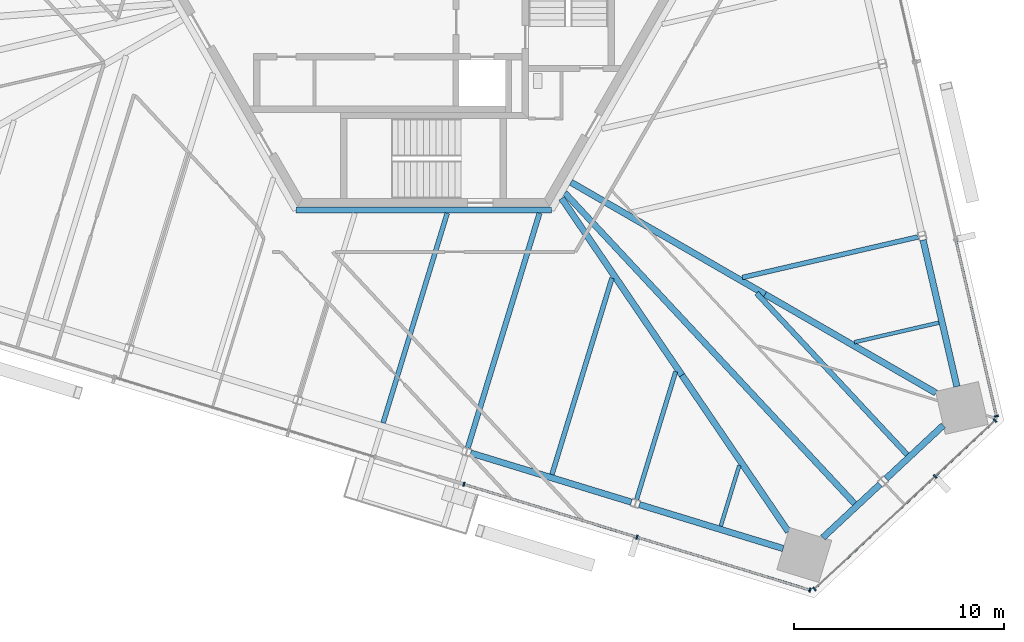
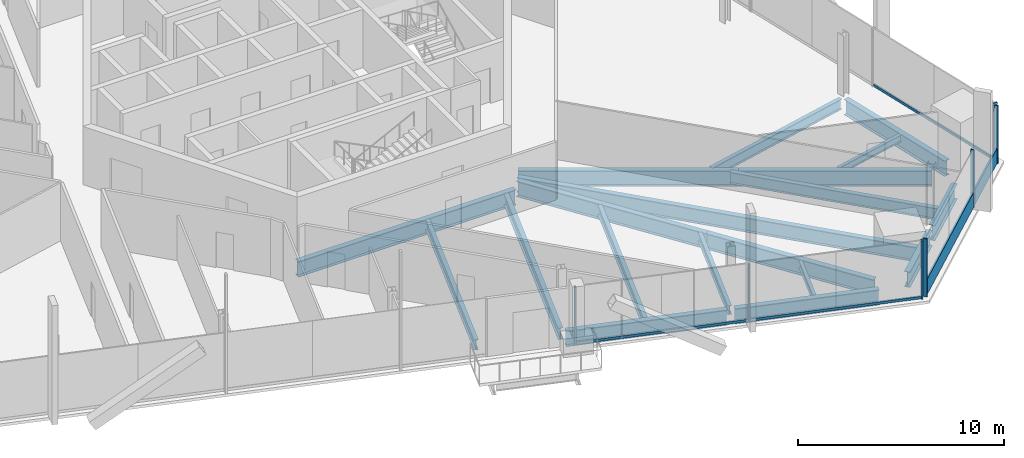
# One storey, part 6 of 23: 19 beams, 12 members, 3 elements without a shape of their own.
"""IFC4 building model written with IfcOpenShell, lengths in metres."""

from ifc_helpers import new_model, si_unit, direction, frame, origin, origin_2d, place, context, subcontext, project, spatial, rectangle, i_section, extrude, source, transform, mapped, material, material_profile, profile_set, type_object, element, aggregate, save


model = new_model("IFC4")

# Units and contexts
model_context = context("Model", 3, precision=1e-05, world=origin(), true_north=direction((0.0, 1.0)))
body_context = subcontext(model_context, "Body", "Model", "MODEL_VIEW")
ifc_project = project(units=[si_unit("LENGTHUNIT", "METRE"), si_unit("AREAUNIT", "SQUARE_METRE"), si_unit("VOLUMEUNIT", "CUBIC_METRE"), si_unit("PLANEANGLEUNIT", "RADIAN"), si_unit("MASSUNIT", "GRAM", prefix="KILO")], contexts=[model_context])

# Site, building, storey
site_placement = place(None, origin())
site = spatial("IfcSite", under=ifc_project, at=site_placement, CompositionType="ELEMENT")
building_placement = place(site_placement, origin())
building = spatial("IfcBuilding", under=site, at=building_placement, Name="Triune Harvest Tower", CompositionType="ELEMENT")
storey_placement = place(building_placement, frame((0.0, 0.0, 105.5)))
storey = spatial("IfcBuildingStorey", under=building, at=storey_placement, Name="L26", CompositionType="ELEMENT", Elevation=105.5)

# Beams
ifc_material_1 = material(Name="Steel ASTM A992 Gr 50", Category="steel")
ifc_material_profile_1 = material_profile(ifc_material_1, i_section(OverallWidth=0.3046875, OverallDepth=0.914306640625, WebThickness=0.0166015625, FlangeThickness=0.02587890625, at=origin_2d()), Name="W36x160")
ifc_profile_set_1 = profile_set([ifc_material_profile_1], Name="Steel ASTM A992 Gr 50")
beam_type_1 = type_object("IfcBeamType", Name="CG-1 Core ring girder W36x160", PredefinedType="BEAM", material=ifc_profile_set_1)
shared_shape_1 = source(origin(), body_context, "Body", "SweptSolid", [
    extrude(i_section(OverallWidth=0.3046875, OverallDepth=0.914306640625, WebThickness=0.0166015625, FlangeThickness=0.02587890625, at=origin_2d()), origin(), (0.0, 0.0, 1.0), 12.17578125),
])
beam_1_placement = place(storey_placement, frame((-6.087890625, -10.544677734375, -0.6171875), z_axis=(1.0, 0.0, 0.0), x_axis=(0.0, 1.0, 0.0)))
element("IfcBeam", 1, at=beam_1_placement, inside=storey, type_object=beam_type_1, Name="beam/L26/CG5", PredefinedType="BEAM", context=body_context, shape_type="MappedRepresentation", body=[
    mapped(shared_shape_1, transform((0.0, 0.0, 0.0), scale=1.0)),
])
ifc_material_2 = material(Name="Steel ASTM A992 Gr 50", Category="steel")
ifc_material_profile_2 = material_profile(ifc_material_2, i_section(OverallWidth=0.307373046875, OverallDepth=0.922119140625, WebThickness=0.018310546875, FlangeThickness=0.030029296875, at=origin_2d()), Name="W36x182")
ifc_profile_set_2 = profile_set([ifc_material_profile_2], Name="Steel ASTM A992 Gr 50")
beam_type_2 = type_object("IfcBeamType", Name="HG-2 Hip girder W36x182", PredefinedType="BEAM", material=ifc_profile_set_2)
shared_shape_2 = source(origin(), body_context, "Body", "SweptSolid", [
    extrude(i_section(OverallWidth=0.307373046875, OverallDepth=0.922119140625, WebThickness=0.018310546875, FlangeThickness=0.030029296875, at=origin_2d()), origin(), (0.0, 0.0, 1.0), 10.681640625),
])
beam_2_placement = place(storey_placement, frame((16.27587890625, -14.56640625, -0.62109375), z_axis=(-0.866023441189, 0.500003399299, 0.0), x_axis=(-0.500003399299, -0.866023441189, 0.0)))
element("IfcBeam", 2, at=beam_2_placement, inside=storey, type_object=beam_type_2, Name="beam/L26/HG2", PredefinedType="BEAM", context=body_context, shape_type="MappedRepresentation", body=[
    mapped(shared_shape_2, transform((0.0, 0.0, 0.0), scale=1.0)),
])
shared_shape_3 = source(origin(), body_context, "Body", "SweptSolid", [
    extrude(i_section(OverallWidth=0.307373046875, OverallDepth=0.922119140625, WebThickness=0.018310546875, FlangeThickness=0.030029296875, at=origin_2d()), origin(), (0.0, 0.0, 1.0), 10.194091796875),
])
beam_3_placement = place(storey_placement, frame((12.31640625, -18.4208984375, -0.62109375), z_axis=(-0.562397141719, 0.826867253545, 0.0), x_axis=(-0.826867253545, -0.562397141719, 0.0)))
element("IfcBeam", 3, at=beam_3_placement, inside=storey, type_object=beam_type_2, Name="beam/L26/HG8", PredefinedType="BEAM", context=body_context, shape_type="MappedRepresentation", body=[
    mapped(shared_shape_3, transform((0.0, 0.0, 0.0), scale=1.0)),
])
ifc_material_3 = material(Name="Steel ASTM A992 Gr 50", Category="steel")
ifc_material_profile_3 = material_profile(ifc_material_3, i_section(OverallWidth=0.3046875, OverallDepth=0.914306640625, WebThickness=0.0166015625, FlangeThickness=0.02587890625, at=origin_2d()), Name="W36x160")
ifc_profile_set_3 = profile_set([ifc_material_profile_3], Name="Steel ASTM A992 Gr 50")
beam_type_3 = type_object("IfcBeamType", Name="SB-1 Spandrel beam W36x160", PredefinedType="SPANDREL", material=ifc_profile_set_3)
shared_shape_4 = source(origin(), body_context, "Body", "SweptSolid", [
    extrude(i_section(OverallWidth=0.3046875, OverallDepth=0.914306640625, WebThickness=0.0166015625, FlangeThickness=0.02587890625, at=origin_2d()), origin(), (0.0, 0.0, 1.0), 7.166259765625),
])
beam_4_placement = place(storey_placement, frame((25.42236328125, -18.96044921875, -0.6171875), z_axis=(-0.224949077026, 0.974370521283, 0.0), x_axis=(-0.974370521283, -0.224949077026, 0.0)))
element("IfcBeam", 4, at=beam_4_placement, inside=storey, type_object=beam_type_3, Name="beam/L26/SB1", PredefinedType="SPANDREL", context=body_context, shape_type="MappedRepresentation", body=[
    mapped(shared_shape_4, transform((0.0, 0.0, 0.0), scale=1.0)),
])
shared_shape_5 = source(origin(), body_context, "Body", "SweptSolid", [
    extrude(i_section(OverallWidth=0.3046875, OverallDepth=0.914306640625, WebThickness=0.0166015625, FlangeThickness=0.02587890625, at=origin_2d()), origin(), (0.0, 0.0, 1.0), 8.01806640625),
])
beam_5_placement = place(storey_placement, frame((2.240966796875, -22.127685546875, -0.6171875), z_axis=(0.956305466934, -0.292369379231, 0.0), x_axis=(0.292369379231, 0.956305466934, 0.0)))
element("IfcBeam", 5, at=beam_5_placement, inside=storey, type_object=beam_type_3, Name="beam/L26/SB21", PredefinedType="SPANDREL", context=body_context, shape_type="MappedRepresentation", body=[
    mapped(shared_shape_5, transform((0.0, 0.0, 0.0), scale=1.0)),
])
shared_shape_6 = source(origin(), body_context, "Body", "SweptSolid", [
    extrude(i_section(OverallWidth=0.3046875, OverallDepth=0.914306640625, WebThickness=0.0166015625, FlangeThickness=0.02587890625, at=origin_2d()), origin(), (0.0, 0.0, 1.0), 7.16650390625),
])
beam_6_placement = place(storey_placement, frame((10.287841796875, -24.587646484375, -0.6171875), z_axis=(0.956296811344, -0.292397689137, 0.0), x_axis=(0.292397689137, 0.956296811344, 0.0)))
element("IfcBeam", 6, at=beam_6_placement, inside=storey, type_object=beam_type_3, Name="beam/L26/SB22", PredefinedType="SPANDREL", context=body_context, shape_type="MappedRepresentation", body=[
    mapped(shared_shape_6, transform((0.0, 0.0, 0.0), scale=1.0)),
])
shared_shape_7 = source(origin(), body_context, "Body", "SweptSolid", [
    extrude(i_section(OverallWidth=0.3046875, OverallDepth=0.914306640625, WebThickness=0.0166015625, FlangeThickness=0.02587890625, at=origin_2d()), origin(), (0.0, 0.0, 1.0), 3.72607421875),
])
beam_7_placement = place(storey_placement, frame((19.03173828125, -26.1630859375, -0.6171875), z_axis=(0.731344988612, 0.682007703499, 0.0), x_axis=(-0.682007703499, 0.731344988612, 0.0)))
element("IfcBeam", 7, at=beam_7_placement, inside=storey, type_object=beam_type_3, Name="beam/L26/SB23", PredefinedType="SPANDREL", context=body_context, shape_type="MappedRepresentation", body=[
    mapped(shared_shape_7, transform((0.0, 0.0, 0.0), scale=1.0)),
])
shared_shape_8 = source(origin(), body_context, "Body", "SweptSolid", [
    extrude(i_section(OverallWidth=0.3046875, OverallDepth=0.914306640625, WebThickness=0.0166015625, FlangeThickness=0.02587890625, at=origin_2d()), origin(), (0.0, 0.0, 1.0), 3.726318359375),
])
beam_8_placement = place(storey_placement, frame((22.046630859375, -23.351806640625, -0.6171875), z_axis=(0.731375462482, 0.681975023647, 0.0), x_axis=(-0.681975023647, 0.731375462482, 0.0)))
element("IfcBeam", 8, at=beam_8_placement, inside=storey, type_object=beam_type_3, Name="beam/L26/SB24", PredefinedType="SPANDREL", context=body_context, shape_type="MappedRepresentation", body=[
    mapped(shared_shape_8, transform((0.0, 0.0, 0.0), scale=1.0)),
])
shared_shape_9 = source(origin(), body_context, "Body", "SweptSolid", [
    extrude(i_section(OverallWidth=0.307373046875, OverallDepth=0.922119140625, WebThickness=0.018310546875, FlangeThickness=0.030029296875, at=origin_2d()), origin(), (0.0, 0.0, 1.0), 9.3984375),
])
beam_9_placement = place(storey_placement, frame((24.415283203125, -19.265625, -0.62109375), z_axis=(-0.866028560268, 0.49999453277, 0.0), x_axis=(-0.49999453277, -0.866028560268, 0.0)))
element("IfcBeam", 9, at=beam_9_placement, inside=storey, type_object=beam_type_2, Name="beam/L26/HG1", PredefinedType="BEAM", context=body_context, shape_type="MappedRepresentation", body=[
    mapped(shared_shape_9, transform((0.0, 0.0, 0.0), scale=1.0)),
])
shared_shape_10 = source(origin(), body_context, "Body", "SweptSolid", [
    extrude(i_section(OverallWidth=0.307373046875, OverallDepth=0.922119140625, WebThickness=0.018310546875, FlangeThickness=0.030029296875, at=origin_2d()), origin(), (0.0, 0.0, 1.0), 9.0166015625),
])
beam_10_placement = place(storey_placement, frame((17.3876953125, -25.876220703125, -0.62109375), z_axis=(-0.562436658991, 0.826840374331, 0.0), x_axis=(-0.826840374331, -0.562436658991, 0.0)))
element("IfcBeam", 10, at=beam_10_placement, inside=storey, type_object=beam_type_2, Name="beam/L26/HG7", PredefinedType="BEAM", context=body_context, shape_type="MappedRepresentation", body=[
    mapped(shared_shape_10, transform((0.0, 0.0, 0.0), scale=1.0)),
])
ifc_material_4 = material(Name="Steel ASTM A992 Gr 50", Category="steel")
ifc_material_profile_4 = material_profile(ifc_material_4, i_section(OverallWidth=0.180908203125, OverallDepth=0.41650390625, WebThickness=0.010986328125, FlangeThickness=0.01806640625, at=origin_2d()), Name="W16x57")
ifc_profile_set_4 = profile_set([ifc_material_profile_4], Name="Steel ASTM A992 Gr 50")
beam_type_4 = type_object("IfcBeamType", Name="JT-1 Floor joist W16x57", PredefinedType="JOIST", material=ifc_profile_set_4)
shared_shape_11 = source(origin(), body_context, "Body", "SweptSolid", [
    extrude(i_section(OverallWidth=0.180908203125, OverallDepth=0.41650390625, WebThickness=0.010986328125, FlangeThickness=0.01806640625, at=origin_2d()), origin(), (0.0, 0.0, 1.0), 4.1337890625),
])
beam_11_placement = place(storey_placement, frame((24.563720703125, -15.91845703125, -0.368408203125), z_axis=(-0.974368296684, -0.224958712697, 0.0), x_axis=(0.224958712697, -0.974368296684, 0.0)))
element("IfcBeam", 11, at=beam_11_placement, inside=storey, type_object=beam_type_4, Name="beam/L26/JT1", PredefinedType="JOIST", context=body_context, shape_type="MappedRepresentation", body=[
    mapped(shared_shape_11, transform((0.0, 0.0, 0.0), scale=1.0)),
])
ifc_material_5 = material(Name="Steel ASTM A992 Gr 50", Category="steel")
ifc_material_profile_5 = material_profile(ifc_material_5, i_section(OverallWidth=0.22900390625, OverallDepth=0.612060546875, WebThickness=0.011962890625, FlangeThickness=0.01953125, at=origin_2d()), Name="W24x84")
ifc_profile_set_5 = profile_set([ifc_material_profile_5], Name="Steel ASTM A992 Gr 50")
beam_type_5 = type_object("IfcBeamType", Name="JT-3 Floor joist W24x84", PredefinedType="JOIST", material=ifc_profile_set_5)
shared_shape_12 = source(origin(), body_context, "Body", "SweptSolid", [
    extrude(i_section(OverallWidth=0.22900390625, OverallDepth=0.612060546875, WebThickness=0.011962890625, FlangeThickness=0.01953125, at=origin_2d()), origin(), (0.0, 0.0, 1.0), 8.607421875),
])
beam_12_placement = place(storey_placement, frame((23.580078125, -11.82763671875, -0.466064453125), z_axis=(-0.97436872252, -0.224956868255, 0.0), x_axis=(0.224956868255, -0.97436872252, 0.0)))
element("IfcBeam", 12, at=beam_12_placement, inside=storey, type_object=beam_type_5, Name="beam/L26/JT2", PredefinedType="JOIST", context=body_context, shape_type="MappedRepresentation", body=[
    mapped(shared_shape_12, transform((0.0, 0.0, 0.0), scale=1.0)),
])
shared_shape_13 = source(origin(), body_context, "Body", "SweptSolid", [
    extrude(i_section(OverallWidth=0.22900390625, OverallDepth=0.612060546875, WebThickness=0.011962890625, FlangeThickness=0.01953125, at=origin_2d()), origin(), (0.0, 0.0, 1.0), 10.45361328125),
])
beam_13_placement = place(storey_placement, frame((-1.92724609375, -20.69384765625, -0.466064453125), z_axis=(0.29235559587, 0.956309680785, 0.0), x_axis=(-0.956309680785, 0.29235559587, 0.0)))
element("IfcBeam", 13, at=beam_13_placement, inside=storey, type_object=beam_type_5, Name="beam/L26/JT33", PredefinedType="JOIST", context=body_context, shape_type="MappedRepresentation", body=[
    mapped(shared_shape_13, transform((0.0, 0.0, 0.0), scale=1.0)),
])
shared_shape_14 = source(origin(), body_context, "Body", "SweptSolid", [
    extrude(i_section(OverallWidth=0.22900390625, OverallDepth=0.612060546875, WebThickness=0.011962890625, FlangeThickness=0.01953125, at=origin_2d()), origin(), (0.0, 0.0, 1.0), 9.790283203125),
])
beam_14_placement = place(storey_placement, frame((6.119384765625, -23.154052734375, -0.466064453125), z_axis=(0.292383884863, 0.956301032036, 0.0), x_axis=(-0.956301032036, 0.292383884863, 0.0)))
element("IfcBeam", 14, at=beam_14_placement, inside=storey, type_object=beam_type_5, Name="beam/L26/JT35", PredefinedType="JOIST", context=body_context, shape_type="MappedRepresentation", body=[
    mapped(shared_shape_14, transform((0.0, 0.0, 0.0), scale=1.0)),
])
ifc_material_6 = material(Name="Steel ASTM A992 Gr 50", Category="steel")
ifc_material_profile_6 = material_profile(ifc_material_6, i_section(OverallWidth=0.253662109375, OverallDepth=0.683349609375, WebThickness=0.012451171875, FlangeThickness=0.01904296875, at=origin_2d()), Name="W27x94")
ifc_profile_set_6 = profile_set([ifc_material_profile_6], Name="Steel ASTM A992 Gr 50")
beam_type_6 = type_object("IfcBeamType", Name="JT-4 Floor joist W27x94", PredefinedType="JOIST", material=ifc_profile_set_6)
shared_shape_15 = source(origin(), body_context, "Body", "SweptSolid", [
    extrude(i_section(OverallWidth=0.253662109375, OverallDepth=0.683349609375, WebThickness=0.012451171875, FlangeThickness=0.01904296875, at=origin_2d()), origin(), (0.0, 0.0, 1.0), 11.70166015625),
])
beam_15_placement = place(storey_placement, frame((2.107177734375, -21.887451171875, -0.501708984375), z_axis=(0.292381788251, 0.956301673061, 0.0), x_axis=(-0.956301673061, 0.292381788251, 0.0)))
element("IfcBeam", 15, at=beam_15_placement, inside=storey, type_object=beam_type_6, Name="beam/L26/JT34", PredefinedType="JOIST", context=body_context, shape_type="MappedRepresentation", body=[
    mapped(shared_shape_15, transform((0.0, 0.0, 0.0), scale=1.0)),
])
ifc_material_7 = material(Name="Steel ASTM A992 Gr 50", Category="steel")
ifc_material_profile_7 = material_profile(ifc_material_7, i_section(OverallWidth=0.2099609375, OverallDepth=0.535888671875, WebThickness=0.010986328125, FlangeThickness=0.017333984375, at=origin_2d()), Name="W21x68")
ifc_profile_set_7 = profile_set([ifc_material_profile_7], Name="Steel ASTM A992 Gr 50")
beam_type_7 = type_object("IfcBeamType", Name="JT-2 Floor joist W21x68", PredefinedType="JOIST", material=ifc_profile_set_7)
shared_shape_16 = source(origin(), body_context, "Body", "SweptSolid", [
    extrude(i_section(OverallWidth=0.2099609375, OverallDepth=0.535888671875, WebThickness=0.010986328125, FlangeThickness=0.017333984375, at=origin_2d()), origin(), (0.0, 0.0, 1.0), 6.3720703125),
])
beam_16_placement = place(storey_placement, frame((10.154052734375, -24.34765625, -0.427978515625), z_axis=(0.292370379947, 0.956305160986, 0.0), x_axis=(-0.956305160986, 0.292370379947, 0.0)))
element("IfcBeam", 16, at=beam_16_placement, inside=storey, type_object=beam_type_7, Name="beam/L26/JT36", PredefinedType="JOIST", context=body_context, shape_type="MappedRepresentation", body=[
    mapped(shared_shape_16, transform((0.0, 0.0, 0.0), scale=1.0)),
])
ifc_material_8 = material(Name="Steel ASTM A992 Gr 50", Category="steel")
ifc_material_profile_8 = material_profile(ifc_material_8, i_section(OverallWidth=0.2919921875, OverallDepth=0.8583984375, WebThickness=0.01708984375, FlangeThickness=0.031005859375, at=origin_2d()), Name="W33x169")
ifc_profile_set_8 = profile_set([ifc_material_profile_8], Name="Steel ASTM A992 Gr 50")
beam_type_8 = type_object("IfcBeamType", Name="JT-7 Floor joist W33x169", PredefinedType="JOIST", material=ifc_profile_set_8)
shared_shape_17 = source(origin(), body_context, "Body", "SweptSolid", [
    extrude(i_section(OverallWidth=0.2919921875, OverallDepth=0.8583984375, WebThickness=0.01708984375, FlangeThickness=0.031005859375, at=origin_2d()), origin(), (0.0, 0.0, 1.0), 20.25244140625),
])
beam_17_placement = place(storey_placement, frame((20.545654296875, -24.54296875, -0.58935546875), z_axis=(-0.681993474081, 0.73135825784, 0.0), x_axis=(-0.73135825784, -0.681993474081, 0.0)))
element("IfcBeam", 17, at=beam_17_placement, inside=storey, type_object=beam_type_8, Name="beam/L26/JT38", PredefinedType="JOIST", context=body_context, shape_type="MappedRepresentation", body=[
    mapped(shared_shape_17, transform((0.0, 0.0, 0.0), scale=1.0)),
])
shared_shape_18 = source(origin(), body_context, "Body", "SweptSolid", [
    extrude(i_section(OverallWidth=0.253662109375, OverallDepth=0.683349609375, WebThickness=0.012451171875, FlangeThickness=0.01904296875, at=origin_2d()), origin(), (0.0, 0.0, 1.0), 10.52294921875),
])
beam_18_placement = place(storey_placement, frame((23.05029296875, -22.20751953125, -0.501708984375), z_axis=(-0.682013989315, 0.731339126793, 0.0), x_axis=(-0.731339126793, -0.682013989315, 0.0)))
element("IfcBeam", 18, at=beam_18_placement, inside=storey, type_object=beam_type_6, Name="beam/L26/JT39", PredefinedType="JOIST", context=body_context, shape_type="MappedRepresentation", body=[
    mapped(shared_shape_18, transform((0.0, 0.0, 0.0), scale=1.0)),
])
shared_shape_19 = source(origin(), body_context, "Body", "SweptSolid", [
    extrude(i_section(OverallWidth=0.180908203125, OverallDepth=0.41650390625, WebThickness=0.010986328125, FlangeThickness=0.01806640625, at=origin_2d()), origin(), (0.0, 0.0, 1.0), 3.030029296875),
])
beam_19_placement = place(storey_placement, frame((14.166259765625, -25.614013671875, -0.368408203125), z_axis=(0.2923925234, 0.956298390807, 0.0), x_axis=(-0.956298390807, 0.2923925234, 0.0)))
element("IfcBeam", 19, at=beam_19_placement, inside=storey, type_object=beam_type_4, Name="beam/L26/JT37", PredefinedType="JOIST", context=body_context, shape_type="MappedRepresentation", body=[
    mapped(shared_shape_19, transform((0.0, 0.0, 0.0), scale=1.0)),
])

# Curtain wall, members
ifc_material_9 = material(Name="Aluminium bronze anodised", Category="aluminium")
curtain_wall_type_1 = type_object("IfcCurtainWallType", Name="CW-1 Tower stick curtain wall", PredefinedType="NOTDEFINED", material=ifc_material_9)
curtain_wall_1_placement = place(storey_placement, origin())
curtain_wall_1 = element("IfcCurtainWall", 20, at=curtain_wall_1_placement, inside=storey, type_object=curtain_wall_type_1, Name="CW-1 B3-F6 L26 run 1")
ifc_material_10 = material(Name="Aluminium bronze anodised", Category="aluminium")
ifc_material_profile_9 = material_profile(ifc_material_10, rectangle(XDim=0.199951171875, YDim=0.074951171875, at=origin_2d()), Name="MU-1 mullion 75 x 200")
ifc_profile_set_9 = profile_set([ifc_material_profile_9], Name="Aluminium bronze anodised")
member_type_1 = type_object("IfcMemberType", Name="MU-1 mullion 75 x 200", PredefinedType="MULLION", material=ifc_profile_set_9)
shared_shape_20 = source(origin(), body_context, "Body", "SweptSolid", [
    extrude(rectangle(XDim=0.199951171875, YDim=0.074951171875, at=origin_2d()), origin(), (0.0, 0.0, 1.0), 3.43994140625),
])
member_1_placement = place(storey_placement, frame((18.6328125, -28.61181640625, 0.0), z_axis=(0.0, 0.0, 1.0), x_axis=(-0.682002387287, 0.731349946151, 0.0)))
member_1 = element("IfcMember", 21, at=member_1_placement, type_object=member_type_1, Name="CW-1 mullion B3-F6 1.1", PredefinedType="MULLION", context=body_context, shape_type="MappedRepresentation", body=[
    mapped(shared_shape_20, transform((0.0, 0.0, 0.0), scale=1.0)),
])
member_2_placement = place(storey_placement, frame((24.381591796875, -23.2509765625, 0.0), z_axis=(0.0, 0.0, 1.0), x_axis=(-0.682002387287, 0.731349946151, 0.0)))
member_2 = element("IfcMember", 22, at=member_2_placement, type_object=member_type_1, Name="CW-1 mullion B3-F6 1.3", PredefinedType="MULLION", context=body_context, shape_type="MappedRepresentation", body=[
    mapped(shared_shape_20, transform((0.0, 0.0, 0.0), scale=1.0)),
])
member_3_placement = place(storey_placement, frame((27.2421875, -20.583251953125, 0.0), z_axis=(0.0, 0.0, 1.0), x_axis=(-0.682002387287, 0.731349946151, 0.0)))
member_3 = element("IfcMember", 23, at=member_3_placement, type_object=member_type_1, Name="CW-1 mullion B3-F6 1.4", PredefinedType="MULLION", context=body_context, shape_type="MappedRepresentation", body=[
    mapped(shared_shape_20, transform((0.0, 0.0, 0.0), scale=1.0)),
])

# Curtain wall, member
ifc_material_11 = material(Name="Aluminium bronze anodised", Category="aluminium")
curtain_wall_type_2 = type_object("IfcCurtainWallType", Name="CW-10 Balcony window wall with insulated spandrel infill", PredefinedType="NOTDEFINED", material=ifc_material_11)
curtain_wall_2_placement = place(storey_placement, origin())
curtain_wall_2 = element("IfcCurtainWall", 24, at=curtain_wall_2_placement, inside=storey, type_object=curtain_wall_type_2, Name="CW-10 B3-F1 L26 run 1")
ifc_material_12 = material(Name="Aluminium bronze anodised", Category="aluminium")
ifc_material_profile_10 = material_profile(ifc_material_12, rectangle(XDim=0.199951171875, YDim=0.074951171875, at=origin_2d()), Name="MU-6 mullion 75 x 200")
ifc_profile_set_10 = profile_set([ifc_material_profile_10], Name="Aluminium bronze anodised")
member_type_2 = type_object("IfcMemberType", Name="MU-6 mullion 75 x 200", PredefinedType="MULLION", material=ifc_profile_set_10)
shared_shape_21 = source(origin(), body_context, "Body", "SweptSolid", [
    extrude(rectangle(XDim=0.199951171875, YDim=0.074951171875, at=origin_2d()), origin(), (0.0, 0.0, 1.0), 3.43994140625),
])
member_4_placement = place(storey_placement, frame((27.306884765625, -20.3720703125, 0.0), z_axis=(0.0, 0.0, 1.0), x_axis=(-0.974370624614, -0.224948629446, 0.0)))
member_4 = element("IfcMember", 25, at=member_4_placement, type_object=member_type_2, Name="CW-10 mullion B3-F1 1.1", PredefinedType="MULLION", context=body_context, shape_type="MappedRepresentation", body=[
    mapped(shared_shape_21, transform((0.0, 0.0, 0.0), scale=1.0)),
])

# Curtain wall, members
curtain_wall_3_placement = place(storey_placement, origin())
curtain_wall_3 = element("IfcCurtainWall", 26, at=curtain_wall_3_placement, inside=storey, type_object=curtain_wall_type_2, Name="CW-10 B3-F5 L26 run 2")
member_5_placement = place(storey_placement, frame((1.9228515625, -23.618408203125, 0.0), z_axis=(0.0, 0.0, 1.0), x_axis=(0.292373426164, 0.956304229664, 0.0)))
member_5 = element("IfcMember", 27, at=member_5_placement, type_object=member_type_2, Name="CW-10 mullion B3-F5 2.1", PredefinedType="MULLION", context=body_context, shape_type="MappedRepresentation", body=[
    mapped(shared_shape_21, transform((0.0, 0.0, 0.0), scale=1.0)),
])
member_6_placement = place(storey_placement, frame((10.170166015625, -26.139892578125, 0.0), z_axis=(0.0, 0.0, 1.0), x_axis=(0.292373426164, 0.956304229664, 0.0)))
member_6 = element("IfcMember", 28, at=member_6_placement, type_object=member_type_2, Name="CW-10 mullion B3-F5 2.3", PredefinedType="MULLION", context=body_context, shape_type="MappedRepresentation", body=[
    mapped(shared_shape_21, transform((0.0, 0.0, 0.0), scale=1.0)),
])
member_7_placement = place(storey_placement, frame((18.417724609375, -28.661376953125, 0.0), z_axis=(0.0, 0.0, 1.0), x_axis=(0.292373426164, 0.956304229664, 0.0)))
member_7 = element("IfcMember", 29, at=member_7_placement, type_object=member_type_2, Name="CW-10 mullion B3-F5 2.5", PredefinedType="MULLION", context=body_context, shape_type="MappedRepresentation", body=[
    mapped(shared_shape_21, transform((0.0, 0.0, 0.0), scale=1.0)),
])

# Member
ifc_material_13 = material(Name="Aluminium bronze anodised", Category="aluminium")
ifc_material_profile_11 = material_profile(ifc_material_13, rectangle(XDim=0.090087890625, YDim=0.89990234375, at=origin_2d()), Name="TR-1 transom 90 x 900")
ifc_profile_set_11 = profile_set([ifc_material_profile_11], Name="Aluminium bronze anodised")
member_type_3 = type_object("IfcMemberType", Name="TR-1 transom 90 x 900", PredefinedType="USERDEFINED", material=ifc_profile_set_11)
shared_shape_22 = source(origin(), body_context, "Body", "SweptSolid", [
    extrude(rectangle(XDim=0.090087890625, YDim=0.89990234375, at=origin_2d()), origin(), (0.0, 0.0, 1.0), 7.78564453125),
])
member_8_placement = place(storey_placement, frame((18.66015625, -28.586181640625, 0.449951171875), z_axis=(0.731354473546, 0.681997532271, 0.0), x_axis=(-0.681997532271, 0.731354473546, 0.0)))
member_8 = element("IfcMember", 30, at=member_8_placement, type_object=member_type_3, Name="CW-1 transom B3-F6 1.1", ObjectType="TRANSOM", PredefinedType="USERDEFINED", context=body_context, shape_type="MappedRepresentation", body=[
    mapped(shared_shape_22, transform((0.0, 0.0, 0.0), scale=1.0)),
])

shared_shape_23 = source(origin(), body_context, "Body", "SweptSolid", [
    extrude(rectangle(XDim=0.090087890625, YDim=0.89990234375, at=origin_2d()), origin(), (0.0, 0.0, 1.0), 3.83642578125),
])
member_9_placement = place(storey_placement, frame((24.408935546875, -23.225341796875, 0.449951171875), z_axis=(0.73136626704, 0.681984885049, 0.0), x_axis=(-0.681984885049, 0.73136626704, 0.0)))
member_9 = element("IfcMember", 31, at=member_9_placement, type_object=member_type_3, Name="CW-1 transom B3-F6 1.2", ObjectType="TRANSOM", PredefinedType="USERDEFINED", context=body_context, shape_type="MappedRepresentation", body=[
    mapped(shared_shape_23, transform((0.0, 0.0, 0.0), scale=1.0)),
])

aggregate(curtain_wall_1, [member_1, member_2, member_3, member_8, member_9])

ifc_material_14 = material(Name="Aluminium bronze anodised", Category="aluminium")
ifc_material_profile_12 = material_profile(ifc_material_14, rectangle(XDim=0.090087890625, YDim=0.14990234375, at=origin_2d()), Name="TR-6 transom 90 x 150")
ifc_profile_set_12 = profile_set([ifc_material_profile_12], Name="Aluminium bronze anodised")
member_type_4 = type_object("IfcMemberType", Name="TR-6 transom 90 x 150", PredefinedType="USERDEFINED", material=ifc_profile_set_12)
shared_shape_24 = source(origin(), body_context, "Body", "SweptSolid", [
    extrude(rectangle(XDim=0.090087890625, YDim=0.14990234375, at=origin_2d()), origin(), (0.0, 0.0, 1.0), 8.568603515625),
])
member_10_placement = place(storey_placement, frame((27.29833984375, -20.33544921875, 0.074951171875), z_axis=(-0.224951067006, 0.974370061862, 0.0), x_axis=(-0.974370061862, -0.224951067006, 0.0)))
member_10 = element("IfcMember", 32, at=member_10_placement, type_object=member_type_4, Name="CW-10 transom B3-F1 1.1", ObjectType="TRANSOM", PredefinedType="USERDEFINED", context=body_context, shape_type="MappedRepresentation", body=[
    mapped(shared_shape_24, transform((0.0, 0.0, 0.0), scale=1.0)),
])

aggregate(curtain_wall_2, [member_4, member_10])

shared_shape_25 = source(origin(), body_context, "Body", "SweptSolid", [
    extrude(rectangle(XDim=0.090087890625, YDim=0.14990234375, at=origin_2d()), origin(), (0.0, 0.0, 1.0), 8.54931640625),
])
member_11_placement = place(storey_placement, frame((1.958740234375, -23.62939453125, 0.074951171875), z_axis=(0.956307223579, -0.292363633391, 0.0), x_axis=(0.292363633391, 0.956307223579, 0.0)))
member_11 = element("IfcMember", 33, at=member_11_placement, type_object=member_type_4, Name="CW-10 transom B3-F5 2.1", ObjectType="TRANSOM", PredefinedType="USERDEFINED", context=body_context, shape_type="MappedRepresentation", body=[
    mapped(shared_shape_25, transform((0.0, 0.0, 0.0), scale=1.0)),
])

member_12_placement = place(storey_placement, frame((10.2060546875, -26.15087890625, 0.074951171875), z_axis=(0.956307223579, -0.292363633391, 0.0), x_axis=(0.292363633391, 0.956307223579, 0.0)))
member_12 = element("IfcMember", 34, at=member_12_placement, type_object=member_type_4, Name="CW-10 transom B3-F5 2.2", ObjectType="TRANSOM", PredefinedType="USERDEFINED", context=body_context, shape_type="MappedRepresentation", body=[
    mapped(shared_shape_25, transform((0.0, 0.0, 0.0), scale=1.0)),
])

aggregate(curtain_wall_3, [member_5, member_6, member_7, member_11, member_12])

save(model, "model.ifc")
